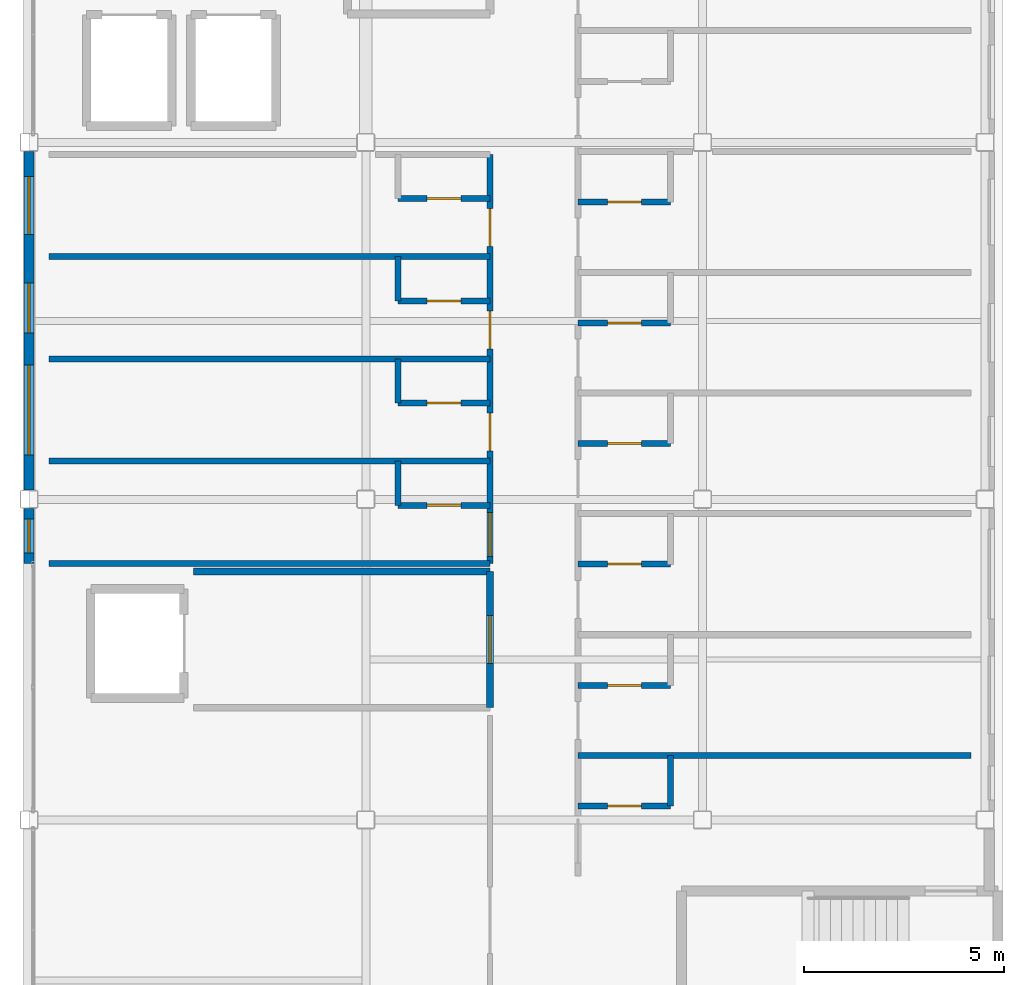
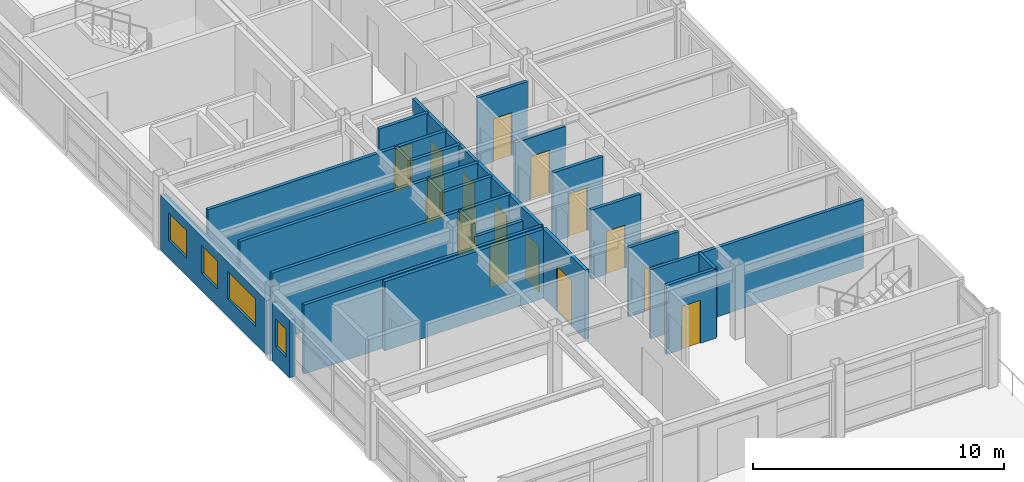
# One storey, part 20 of 28: 24 walls, 15 doors, 4 windows, 19 openings.
"""IFC4 building model written with IfcOpenShell, lengths in metres."""

from ifc_helpers import new_model, si_unit, direction, frame, frame_2d, origin, place, context, subcontext, project, spatial, rectangle, extrude, material, layer, layer_set, type_object, element, fill, save


model = new_model("IFC4")

# Units and contexts
model_context = context("Model", 3, precision=1e-05, world=origin(), true_north=direction((0.0, 1.0)))
body_context = subcontext(model_context, "Body", "Model", "MODEL_VIEW")
ifc_project = project(units=[si_unit("LENGTHUNIT", "METRE"), si_unit("AREAUNIT", "SQUARE_METRE"), si_unit("VOLUMEUNIT", "CUBIC_METRE"), si_unit("PLANEANGLEUNIT", "RADIAN"), si_unit("MASSUNIT", "GRAM", prefix="KILO")], contexts=[model_context])

# Site, building, storey
site_placement = place(None, origin())
site = spatial("IfcSite", under=ifc_project, at=site_placement, CompositionType="ELEMENT")
building_placement = place(site_placement, origin())
building = spatial("IfcBuilding", under=site, at=building_placement, Name="Kazehara Bluff Congress Hotel", CompositionType="ELEMENT")
storey_placement = place(building_placement, frame((0.0, 0.0, 42.60009765625)))
storey = spatial("IfcBuildingStorey", under=building, at=storey_placement, Name="L10", CompositionType="ELEMENT", Elevation=42.60009765625)

# Wall, opening, window
ifc_material_1 = material(Name="Precast concrete C40/50", Category="concrete")
ifc_layer_1 = layer(ifc_material_1, 0.260009765625)
ifc_layer_set_1 = layer_set([ifc_layer_1], Name="Precast concrete C40/50")
wall_type_1 = type_object("IfcWallType", Name="TP-EW-260", PredefinedType="SOLIDWALL", material=ifc_layer_set_1)
wall_1_placement = place(storey_placement, frame((143.699951171875, 30.39990234375, 0.0), z_axis=(0.0, 0.0, 1.0), x_axis=(0.0, 1.0, 0.0)))
wall_1 = element("IfcWall", 1, at=wall_1_placement, inside=storey, type_object=wall_type_1, Name="L10 hotel facade panel 157", PredefinedType="SOLIDWALL", context=body_context, shape_type="SweptSolid", body=[
    extrude(rectangle(XDim=1.375, YDim=0.260009765625, at=frame_2d((0.6875, 0.0))), origin(), (0.0, 0.0, 1.0), 2.804931640625),
])
opening_1_placement = place(wall_1_placement, frame((0.260009765625, 0.0, 0.85009765625)))
opening_1 = element("IfcOpeningElement", 2, at=opening_1_placement, cuts=wall_1, Name="Opening WN-55", PredefinedType="OPENING", context=body_context, shape_type="SweptSolid", body=[
    extrude(rectangle(XDim=0.85009765625, YDim=1.35009765625, at=frame_2d((0.425048828125, 0.675048828125))), frame((0.0, 0.139892578125, 0.0), z_axis=(0.0, -1.0, 0.0), x_axis=(1.0, 0.0, 0.0)), (0.0, 0.0, 1.0), 0.280029296875),
])
ifc_material_2 = material(Name="Insulated low-E double glazing", Category="glass")
window_type_1 = type_object("IfcWindowType", Name="TP-WN-55", PartitioningType="SINGLE_PANEL", PredefinedType="WINDOW", material=ifc_material_2)
window_1_placement = place(opening_1_placement, origin())
window_1 = element("IfcWindow", 3, at=window_1_placement, inside=storey, type_object=window_type_1, Name="L10 guestroom window WN-55 311", OverallHeight=1.35009765625, OverallWidth=0.85009765625, PartitioningType="SINGLE_PANEL", PredefinedType="WINDOW", context=body_context, shape_type="SweptSolid", body=[
    extrude(rectangle(XDim=0.85009765625, YDim=1.35009765625, at=frame_2d((0.425048828125, 0.675048828125))), frame((0.0, 0.030029296875, 0.0), z_axis=(0.0, -1.0, 0.0), x_axis=(1.0, 0.0, 0.0)), (0.0, 0.0, 1.0), 0.06005859375),
])
fill(opening_1, window_1)

# Wall, openings, windows
wall_2_placement = place(storey_placement, frame((143.699951171875, 32.22509765625, 0.0), z_axis=(0.0, 0.0, 1.0), x_axis=(0.0, 1.0, 0.0)))
wall_2 = element("IfcWall", 4, at=wall_2_placement, inside=storey, type_object=wall_type_1, Name="L10 hotel facade panel 158", PredefinedType="SOLIDWALL", context=body_context, shape_type="SweptSolid", body=[
    extrude(rectangle(XDim=8.449951171875, YDim=0.260009765625, at=frame_2d((4.22509765625, 0.0))), origin(), (0.0, 0.0, 1.0), 2.65478515625),
])
opening_2_placement = place(wall_2_placement, frame((0.875, 0.0, 0.85009765625)))
opening_2 = element("IfcOpeningElement", 5, at=opening_2_placement, cuts=wall_2, Name="Opening WN-51", PredefinedType="OPENING", context=body_context, shape_type="SweptSolid", body=[
    extrude(rectangle(XDim=2.25, YDim=1.35009765625, at=frame_2d((1.125, 0.675048828125))), frame((0.0, 0.139892578125, 0.0), z_axis=(0.0, -1.0, 0.0), x_axis=(1.0, 0.0, 0.0)), (0.0, 0.0, 1.0), 0.280029296875),
])
opening_3_placement = place(wall_2_placement, frame((3.925048828125, 0.0, 0.85009765625)))
opening_3 = element("IfcOpeningElement", 6, at=opening_3_placement, cuts=wall_2, Name="Opening WN-06", PredefinedType="OPENING", context=body_context, shape_type="SweptSolid", body=[
    extrude(rectangle(XDim=1.25, YDim=1.35009765625, at=frame_2d((0.625, 0.675048828125))), frame((0.0, 0.139892578125, 0.0), z_axis=(0.0, -1.0, 0.0), x_axis=(1.0, 0.0, 0.0)), (0.0, 0.0, 1.0), 0.280029296875),
])
opening_4_placement = place(wall_2_placement, frame((6.375, 0.0, 0.85009765625)))
opening_4 = element("IfcOpeningElement", 7, at=opening_4_placement, cuts=wall_2, Name="Opening WN-16", PredefinedType="OPENING", context=body_context, shape_type="SweptSolid", body=[
    extrude(rectangle(XDim=1.449951171875, YDim=1.35009765625, at=frame_2d((0.72509765625, 0.675048828125))), frame((0.0, 0.139892578125, 0.0), z_axis=(0.0, -1.0, 0.0), x_axis=(1.0, 0.0, 0.0)), (0.0, 0.0, 1.0), 0.280029296875),
])
ifc_material_3 = material(Name="Insulated low-E double glazing", Category="glass")
window_type_2 = type_object("IfcWindowType", Name="TP-WN-06", PartitioningType="SINGLE_PANEL", PredefinedType="WINDOW", material=ifc_material_3)
window_2_placement = place(opening_3_placement, origin())
window_2 = element("IfcWindow", 8, at=window_2_placement, inside=storey, type_object=window_type_2, Name="L10 guestroom window WN-06 313", OverallHeight=1.35009765625, OverallWidth=1.25, PartitioningType="SINGLE_PANEL", PredefinedType="WINDOW", context=body_context, shape_type="SweptSolid", body=[
    extrude(rectangle(XDim=1.25, YDim=1.35009765625, at=frame_2d((0.625, 0.675048828125))), frame((0.0, 0.030029296875, 0.0), z_axis=(0.0, -1.0, 0.0), x_axis=(1.0, 0.0, 0.0)), (0.0, 0.0, 1.0), 0.06005859375),
])
fill(opening_3, window_2)
ifc_material_4 = material(Name="Insulated low-E double glazing", Category="glass")
window_type_3 = type_object("IfcWindowType", Name="TP-WN-16", PartitioningType="SINGLE_PANEL", PredefinedType="WINDOW", material=ifc_material_4)
window_3_placement = place(opening_4_placement, origin())
window_3 = element("IfcWindow", 9, at=window_3_placement, inside=storey, type_object=window_type_3, Name="L10 guestroom window WN-16 314", OverallHeight=1.35009765625, OverallWidth=1.449951171875, PartitioningType="SINGLE_PANEL", PredefinedType="WINDOW", context=body_context, shape_type="SweptSolid", body=[
    extrude(rectangle(XDim=1.449951171875, YDim=1.35009765625, at=frame_2d((0.72509765625, 0.675048828125))), frame((0.0, 0.030029296875, 0.0), z_axis=(0.0, -1.0, 0.0), x_axis=(1.0, 0.0, 0.0)), (0.0, 0.0, 1.0), 0.06005859375),
])
fill(opening_4, window_3)
ifc_material_5 = material(Name="Insulated low-E double glazing", Category="glass")
window_type_4 = type_object("IfcWindowType", Name="TP-WN-51", PartitioningType="DOUBLE_PANEL_VERTICAL", PredefinedType="WINDOW", material=ifc_material_5)
window_4_placement = place(opening_2_placement, origin())
window_4 = element("IfcWindow", 10, at=window_4_placement, inside=storey, type_object=window_type_4, Name="L10 guestroom window WN-51 312", OverallHeight=1.35009765625, OverallWidth=2.25, PartitioningType="SINGLE_PANEL", PredefinedType="WINDOW", context=body_context, shape_type="SweptSolid", body=[
    extrude(rectangle(XDim=2.25, YDim=1.35009765625, at=frame_2d((1.125, 0.675048828125))), frame((0.0, 0.030029296875, 0.0), z_axis=(0.0, -1.0, 0.0), x_axis=(1.0, 0.0, 0.0)), (0.0, 0.0, 1.0), 0.06005859375),
])
fill(opening_2, window_4)

# Wall, opening, door
ifc_material_6 = material(Name="Fire-rated gypsum board stud partition")
ifc_layer_2 = layer(ifc_material_6, 0.14990234375)
ifc_layer_set_2 = layer_set([ifc_layer_2], Name="Fire-rated gypsum board stud partition")
wall_type_2 = type_object("IfcWallType", Name="TP-PT-150", PredefinedType="PARTITIONING", material=ifc_layer_set_2)
wall_3_placement = place(storey_placement, frame((157.39990234375, 24.35009765625, 0.0), z_axis=(0.0, 0.0, 1.0), x_axis=(1.0, 0.0, 0.0)))
wall_3 = element("IfcWall", 11, at=wall_3_placement, inside=storey, type_object=wall_type_2, Name="L10 partition PT-150 1316", PredefinedType="PARTITIONING", context=body_context, shape_type="SweptSolid", body=[
    extrude(rectangle(XDim=2.300048828125, YDim=0.14990234375, at=frame_2d((1.14990234375, 0.0))), origin(), (0.0, 0.0, 1.0), 3.364990234375),
])
opening_5_placement = place(wall_3_placement, frame((0.72509765625, 0.0, 0.0)))
opening_5 = element("IfcOpeningElement", 12, at=opening_5_placement, cuts=wall_3, Name="Opening BD-01", PredefinedType="OPENING", context=body_context, shape_type="SweptSolid", body=[
    extrude(rectangle(XDim=0.85009765625, YDim=2.10009765625, at=frame_2d((0.425048828125, 1.050048828125))), frame((0.0, 0.0849609375, 0.0), z_axis=(0.0, -1.0, 0.0), x_axis=(1.0, 0.0, 0.0)), (0.0, 0.0, 1.0), 0.169921875),
])
ifc_material_7 = material(Name="Architectural oak veneer leaf")
door_type_1 = type_object("IfcDoorType", Name="TP-BD-01", OperationType="NOTDEFINED", PredefinedType="DOOR", material=ifc_material_7)
door_1_placement = place(opening_5_placement, origin())
door_1 = element("IfcDoor", 13, at=door_1_placement, inside=storey, type_object=door_type_1, Name="L10 En-suite Bathroom 305 door", OperationType="SINGLE_SWING_RIGHT", OverallHeight=2.10009765625, OverallWidth=0.85009765625, PredefinedType="DOOR", context=body_context, shape_type="SweptSolid", body=[
    extrude(rectangle(XDim=0.85009765625, YDim=2.10009765625, at=frame_2d((0.425048828125, 1.050048828125))), frame((0.0, 0.02490234375, 0.0), z_axis=(0.0, -1.0, 0.0), x_axis=(1.0, 0.0, 0.0)), (0.0, 0.0, 1.0), 0.050048828125),
])
fill(opening_5, door_1)

# Wall
wall_4_placement = place(storey_placement, frame((157.39990234375, 25.610107421875, 0.0), z_axis=(0.0, 0.0, 1.0), x_axis=(1.0, 0.0, 0.0)))
element("IfcWall", 14, at=wall_4_placement, inside=storey, type_object=wall_type_2, Name="L10 partition PT-150 1317", PredefinedType="PARTITIONING", context=body_context, shape_type="SweptSolid", body=[
    extrude(rectangle(XDim=9.800048828125, YDim=0.14990234375, at=frame_2d((4.89990234375, 0.0))), origin(), (0.0, 0.0, 1.0), 3.364990234375),
])

# Wall, opening, door
wall_5_placement = place(storey_placement, frame((157.39990234375, 27.360107421875, 0.0), z_axis=(0.0, 0.0, 1.0), x_axis=(1.0, 0.0, 0.0)))
wall_5 = element("IfcWall", 15, at=wall_5_placement, inside=storey, type_object=wall_type_2, Name="L10 partition PT-150 1319", PredefinedType="PARTITIONING", context=body_context, shape_type="SweptSolid", body=[
    extrude(rectangle(XDim=2.300048828125, YDim=0.14990234375, at=frame_2d((1.14990234375, 0.0))), origin(), (0.0, 0.0, 1.0), 3.364990234375),
])
opening_6_placement = place(wall_5_placement, frame((0.72509765625, 0.0, 0.0)))
opening_6 = element("IfcOpeningElement", 16, at=opening_6_placement, cuts=wall_5, Name="Opening BD-01", PredefinedType="OPENING", context=body_context, shape_type="SweptSolid", body=[
    extrude(rectangle(XDim=0.85009765625, YDim=2.10009765625, at=frame_2d((0.425048828125, 1.050048828125))), frame((0.0, 0.0849609375, 0.0), z_axis=(0.0, -1.0, 0.0), x_axis=(1.0, 0.0, 0.0)), (0.0, 0.0, 1.0), 0.169921875),
])
door_2_placement = place(opening_6_placement, origin())
door_2 = element("IfcDoor", 17, at=door_2_placement, inside=storey, type_object=door_type_1, Name="L10 En-suite Bathroom 306 door", OperationType="SINGLE_SWING_RIGHT", OverallHeight=2.10009765625, OverallWidth=0.85009765625, PredefinedType="DOOR", context=body_context, shape_type="SweptSolid", body=[
    extrude(rectangle(XDim=0.85009765625, YDim=2.10009765625, at=frame_2d((0.425048828125, 1.050048828125))), frame((0.0, 0.02490234375, 0.0), z_axis=(0.0, -1.0, 0.0), x_axis=(1.0, 0.0, 0.0)), (0.0, 0.0, 1.0), 0.050048828125),
])
fill(opening_6, door_2)

wall_6_placement = place(storey_placement, frame((157.39990234375, 30.3798828125, 0.0), z_axis=(0.0, 0.0, 1.0), x_axis=(1.0, 0.0, 0.0)))
wall_6 = element("IfcWall", 18, at=wall_6_placement, inside=storey, type_object=wall_type_2, Name="L10 partition PT-150 1322", PredefinedType="PARTITIONING", context=body_context, shape_type="SweptSolid", body=[
    extrude(rectangle(XDim=2.300048828125, YDim=0.14990234375, at=frame_2d((1.14990234375, 0.0))), origin(), (0.0, 0.0, 1.0), 3.364990234375),
])
opening_7_placement = place(wall_6_placement, frame((0.72509765625, 0.0, 0.0)))
opening_7 = element("IfcOpeningElement", 19, at=opening_7_placement, cuts=wall_6, Name="Opening BD-01", PredefinedType="OPENING", context=body_context, shape_type="SweptSolid", body=[
    extrude(rectangle(XDim=0.85009765625, YDim=2.10009765625, at=frame_2d((0.425048828125, 1.050048828125))), frame((0.0, 0.0849609375, 0.0), z_axis=(0.0, -1.0, 0.0), x_axis=(1.0, 0.0, 0.0)), (0.0, 0.0, 1.0), 0.169921875),
])
door_3_placement = place(opening_7_placement, origin())
door_3 = element("IfcDoor", 20, at=door_3_placement, inside=storey, type_object=door_type_1, Name="L10 En-suite Bathroom 307 door", OperationType="SINGLE_SWING_RIGHT", OverallHeight=2.10009765625, OverallWidth=0.85009765625, PredefinedType="DOOR", context=body_context, shape_type="SweptSolid", body=[
    extrude(rectangle(XDim=0.85009765625, YDim=2.10009765625, at=frame_2d((0.425048828125, 1.050048828125))), frame((0.0, 0.02490234375, 0.0), z_axis=(0.0, -1.0, 0.0), x_axis=(1.0, 0.0, 0.0)), (0.0, 0.0, 1.0), 0.050048828125),
])
fill(opening_7, door_3)

# Wall
wall_7_placement = place(storey_placement, frame((144.199951171875, 30.39990234375, 0.0), z_axis=(0.0, 0.0, 1.0), x_axis=(1.0, 0.0, 0.0)))
element("IfcWall", 21, at=wall_7_placement, inside=storey, type_object=wall_type_2, Name="L10 partition PT-150 1323", PredefinedType="PARTITIONING", context=body_context, shape_type="SweptSolid", body=[
    extrude(rectangle(XDim=11.0, YDim=0.14990234375, at=frame_2d((5.5, 0.0))), origin(), (0.0, 0.0, 1.0), 3.364990234375),
])

# Wall, opening, door
wall_8_placement = place(storey_placement, frame((152.89990234375, 31.85009765625, 0.0), z_axis=(0.0, 0.0, 1.0), x_axis=(1.0, 0.0, 0.0)))
wall_8 = element("IfcWall", 22, at=wall_8_placement, inside=storey, type_object=wall_type_2, Name="L10 partition PT-150 1325", PredefinedType="PARTITIONING", context=body_context, shape_type="SweptSolid", body=[
    extrude(rectangle(XDim=2.300048828125, YDim=0.14990234375, at=frame_2d((1.14990234375, 0.0))), origin(), (0.0, 0.0, 1.0), 2.7548828125),
])
opening_8_placement = place(wall_8_placement, frame((0.72509765625, 0.0, 0.0)))
opening_8 = element("IfcOpeningElement", 23, at=opening_8_placement, cuts=wall_8, Name="Opening BD-01", PredefinedType="OPENING", context=body_context, shape_type="SweptSolid", body=[
    extrude(rectangle(XDim=0.85009765625, YDim=2.10009765625, at=frame_2d((0.425048828125, 1.050048828125))), frame((0.0, 0.0849609375, 0.0), z_axis=(0.0, -1.0, 0.0), x_axis=(1.0, 0.0, 0.0)), (0.0, 0.0, 1.0), 0.169921875),
])
door_4_placement = place(opening_8_placement, origin())
door_4 = element("IfcDoor", 24, at=door_4_placement, inside=storey, type_object=door_type_1, Name="L10 En-suite Bathroom 295 door", OperationType="SINGLE_SWING_RIGHT", OverallHeight=2.10009765625, OverallWidth=0.85009765625, PredefinedType="DOOR", context=body_context, shape_type="SweptSolid", body=[
    extrude(rectangle(XDim=0.85009765625, YDim=2.10009765625, at=frame_2d((0.425048828125, 1.050048828125))), frame((0.0, 0.02490234375, 0.0), z_axis=(0.0, -1.0, 0.0), x_axis=(1.0, 0.0, 0.0)), (0.0, 0.0, 1.0), 0.050048828125),
])
fill(opening_8, door_4)

# Wall
wall_9_placement = place(storey_placement, frame((144.199951171875, 32.949951171875, 0.0), z_axis=(0.0, 0.0, 1.0), x_axis=(1.0, 0.0, 0.0)))
element("IfcWall", 25, at=wall_9_placement, inside=storey, type_object=wall_type_2, Name="L10 partition PT-150 1326", PredefinedType="PARTITIONING", context=body_context, shape_type="SweptSolid", body=[
    extrude(rectangle(XDim=11.0, YDim=0.14990234375, at=frame_2d((5.5, 0.0))), origin(), (0.0, 0.0, 1.0), 3.364990234375),
])

# Wall, opening, door
wall_10_placement = place(storey_placement, frame((157.39990234375, 33.389892578125, 0.0), z_axis=(0.0, 0.0, 1.0), x_axis=(1.0, 0.0, 0.0)))
wall_10 = element("IfcWall", 26, at=wall_10_placement, inside=storey, type_object=wall_type_2, Name="L10 partition PT-150 1327", PredefinedType="PARTITIONING", context=body_context, shape_type="SweptSolid", body=[
    extrude(rectangle(XDim=2.300048828125, YDim=0.14990234375, at=frame_2d((1.14990234375, 0.0))), origin(), (0.0, 0.0, 1.0), 3.364990234375),
])
opening_9_placement = place(wall_10_placement, frame((0.72509765625, 0.0, 0.0)))
opening_9 = element("IfcOpeningElement", 27, at=opening_9_placement, cuts=wall_10, Name="Opening BD-01", PredefinedType="OPENING", context=body_context, shape_type="SweptSolid", body=[
    extrude(rectangle(XDim=0.85009765625, YDim=2.10009765625, at=frame_2d((0.425048828125, 1.050048828125))), frame((0.0, 0.0849609375, 0.0), z_axis=(0.0, -1.0, 0.0), x_axis=(1.0, 0.0, 0.0)), (0.0, 0.0, 1.0), 0.169921875),
])
door_5_placement = place(opening_9_placement, origin())
door_5 = element("IfcDoor", 28, at=door_5_placement, inside=storey, type_object=door_type_1, Name="L10 En-suite Bathroom 308 door", OperationType="SINGLE_SWING_RIGHT", OverallHeight=2.10009765625, OverallWidth=0.85009765625, PredefinedType="DOOR", context=body_context, shape_type="SweptSolid", body=[
    extrude(rectangle(XDim=0.85009765625, YDim=2.10009765625, at=frame_2d((0.425048828125, 1.050048828125))), frame((0.0, 0.02490234375, 0.0), z_axis=(0.0, -1.0, 0.0), x_axis=(1.0, 0.0, 0.0)), (0.0, 0.0, 1.0), 0.050048828125),
])
fill(opening_9, door_5)

wall_11_placement = place(storey_placement, frame((152.89990234375, 34.39990234375, 0.0), z_axis=(0.0, 0.0, 1.0), x_axis=(1.0, 0.0, 0.0)))
wall_11 = element("IfcWall", 29, at=wall_11_placement, inside=storey, type_object=wall_type_2, Name="L10 partition PT-150 1328", PredefinedType="PARTITIONING", context=body_context, shape_type="SweptSolid", body=[
    extrude(rectangle(XDim=2.300048828125, YDim=0.14990234375, at=frame_2d((1.14990234375, 0.0))), origin(), (0.0, 0.0, 1.0), 3.364990234375),
])
opening_10_placement = place(wall_11_placement, frame((0.72509765625, 0.0, 0.0)))
opening_10 = element("IfcOpeningElement", 30, at=opening_10_placement, cuts=wall_11, Name="Opening BD-01", PredefinedType="OPENING", context=body_context, shape_type="SweptSolid", body=[
    extrude(rectangle(XDim=0.85009765625, YDim=2.10009765625, at=frame_2d((0.425048828125, 1.050048828125))), frame((0.0, 0.0849609375, 0.0), z_axis=(0.0, -1.0, 0.0), x_axis=(1.0, 0.0, 0.0)), (0.0, 0.0, 1.0), 0.169921875),
])
door_6_placement = place(opening_10_placement, origin())
door_6 = element("IfcDoor", 31, at=door_6_placement, inside=storey, type_object=door_type_1, Name="L10 En-suite Bathroom 296 door", OperationType="SINGLE_SWING_RIGHT", OverallHeight=2.10009765625, OverallWidth=0.85009765625, PredefinedType="DOOR", context=body_context, shape_type="SweptSolid", body=[
    extrude(rectangle(XDim=0.85009765625, YDim=2.10009765625, at=frame_2d((0.425048828125, 1.050048828125))), frame((0.0, 0.02490234375, 0.0), z_axis=(0.0, -1.0, 0.0), x_axis=(1.0, 0.0, 0.0)), (0.0, 0.0, 1.0), 0.050048828125),
])
fill(opening_10, door_6)

# Wall
wall_12_placement = place(storey_placement, frame((144.199951171875, 35.5, 0.0), z_axis=(0.0, 0.0, 1.0), x_axis=(1.0, 0.0, 0.0)))
element("IfcWall", 32, at=wall_12_placement, inside=storey, type_object=wall_type_2, Name="L10 partition PT-150 1330", PredefinedType="PARTITIONING", context=body_context, shape_type="SweptSolid", body=[
    extrude(rectangle(XDim=11.0, YDim=0.14990234375, at=frame_2d((5.5, 0.0))), origin(), (0.0, 0.0, 1.0), 3.364990234375),
])

# Wall, opening, door
wall_13_placement = place(storey_placement, frame((157.39990234375, 36.39990234375, 0.0), z_axis=(0.0, 0.0, 1.0), x_axis=(1.0, 0.0, 0.0)))
wall_13 = element("IfcWall", 33, at=wall_13_placement, inside=storey, type_object=wall_type_2, Name="L10 partition PT-150 1331", PredefinedType="PARTITIONING", context=body_context, shape_type="SweptSolid", body=[
    extrude(rectangle(XDim=2.300048828125, YDim=0.14990234375, at=frame_2d((1.14990234375, 0.0))), origin(), (0.0, 0.0, 1.0), 3.0048828125),
])
opening_11_placement = place(wall_13_placement, frame((0.72509765625, 0.0, 0.0)))
opening_11 = element("IfcOpeningElement", 34, at=opening_11_placement, cuts=wall_13, Name="Opening BD-01", PredefinedType="OPENING", context=body_context, shape_type="SweptSolid", body=[
    extrude(rectangle(XDim=0.85009765625, YDim=2.10009765625, at=frame_2d((0.425048828125, 1.050048828125))), frame((0.0, 0.0849609375, 0.0), z_axis=(0.0, -1.0, 0.0), x_axis=(1.0, 0.0, 0.0)), (0.0, 0.0, 1.0), 0.169921875),
])
door_7_placement = place(opening_11_placement, origin())
door_7 = element("IfcDoor", 35, at=door_7_placement, inside=storey, type_object=door_type_1, Name="L10 En-suite Bathroom 309 door", OperationType="SINGLE_SWING_RIGHT", OverallHeight=2.10009765625, OverallWidth=0.85009765625, PredefinedType="DOOR", context=body_context, shape_type="SweptSolid", body=[
    extrude(rectangle(XDim=0.85009765625, YDim=2.10009765625, at=frame_2d((0.425048828125, 1.050048828125))), frame((0.0, 0.02490234375, 0.0), z_axis=(0.0, -1.0, 0.0), x_axis=(1.0, 0.0, 0.0)), (0.0, 0.0, 1.0), 0.050048828125),
])
fill(opening_11, door_7)

wall_14_placement = place(storey_placement, frame((152.89990234375, 36.949951171875, 0.0), z_axis=(0.0, 0.0, 1.0), x_axis=(1.0, 0.0, 0.0)))
wall_14 = element("IfcWall", 36, at=wall_14_placement, inside=storey, type_object=wall_type_2, Name="L10 partition PT-150 1332", PredefinedType="PARTITIONING", context=body_context, shape_type="SweptSolid", body=[
    extrude(rectangle(XDim=2.300048828125, YDim=0.14990234375, at=frame_2d((1.14990234375, 0.0))), origin(), (0.0, 0.0, 1.0), 3.364990234375),
])
opening_12_placement = place(wall_14_placement, frame((0.72509765625, 0.0, 0.0)))
opening_12 = element("IfcOpeningElement", 37, at=opening_12_placement, cuts=wall_14, Name="Opening BD-01", PredefinedType="OPENING", context=body_context, shape_type="SweptSolid", body=[
    extrude(rectangle(XDim=0.85009765625, YDim=2.10009765625, at=frame_2d((0.425048828125, 1.050048828125))), frame((0.0, 0.0849609375, 0.0), z_axis=(0.0, -1.0, 0.0), x_axis=(1.0, 0.0, 0.0)), (0.0, 0.0, 1.0), 0.169921875),
])
door_8_placement = place(opening_12_placement, origin())
door_8 = element("IfcDoor", 38, at=door_8_placement, inside=storey, type_object=door_type_1, Name="L10 En-suite Bathroom 297 door", OperationType="SINGLE_SWING_RIGHT", OverallHeight=2.10009765625, OverallWidth=0.85009765625, PredefinedType="DOOR", context=body_context, shape_type="SweptSolid", body=[
    extrude(rectangle(XDim=0.85009765625, YDim=2.10009765625, at=frame_2d((0.425048828125, 1.050048828125))), frame((0.0, 0.02490234375, 0.0), z_axis=(0.0, -1.0, 0.0), x_axis=(1.0, 0.0, 0.0)), (0.0, 0.0, 1.0), 0.050048828125),
])
fill(opening_12, door_8)

# Wall
wall_15_placement = place(storey_placement, frame((144.199951171875, 38.050048828125, 0.0), z_axis=(0.0, 0.0, 1.0), x_axis=(1.0, 0.0, 0.0)))
element("IfcWall", 39, at=wall_15_placement, inside=storey, type_object=wall_type_2, Name="L10 partition PT-150 1334", PredefinedType="PARTITIONING", context=body_context, shape_type="SweptSolid", body=[
    extrude(rectangle(XDim=11.0, YDim=0.14990234375, at=frame_2d((5.5, 0.0))), origin(), (0.0, 0.0, 1.0), 3.364990234375),
])

# Wall, opening, door
wall_16_placement = place(storey_placement, frame((157.39990234375, 39.409912109375, 0.0), z_axis=(0.0, 0.0, 1.0), x_axis=(1.0, 0.0, 0.0)))
wall_16 = element("IfcWall", 40, at=wall_16_placement, inside=storey, type_object=wall_type_2, Name="L10 partition PT-150 1335", PredefinedType="PARTITIONING", context=body_context, shape_type="SweptSolid", body=[
    extrude(rectangle(XDim=2.300048828125, YDim=0.14990234375, at=frame_2d((1.14990234375, 0.0))), origin(), (0.0, 0.0, 1.0), 3.364990234375),
])
opening_13_placement = place(wall_16_placement, frame((0.72509765625, 0.0, 0.0)))
opening_13 = element("IfcOpeningElement", 41, at=opening_13_placement, cuts=wall_16, Name="Opening BD-01", PredefinedType="OPENING", context=body_context, shape_type="SweptSolid", body=[
    extrude(rectangle(XDim=0.85009765625, YDim=2.10009765625, at=frame_2d((0.425048828125, 1.050048828125))), frame((0.0, 0.0849609375, 0.0), z_axis=(0.0, -1.0, 0.0), x_axis=(1.0, 0.0, 0.0)), (0.0, 0.0, 1.0), 0.169921875),
])
door_9_placement = place(opening_13_placement, origin())
door_9 = element("IfcDoor", 42, at=door_9_placement, inside=storey, type_object=door_type_1, Name="L10 En-suite Bathroom 310 door", OperationType="SINGLE_SWING_RIGHT", OverallHeight=2.10009765625, OverallWidth=0.85009765625, PredefinedType="DOOR", context=body_context, shape_type="SweptSolid", body=[
    extrude(rectangle(XDim=0.85009765625, YDim=2.10009765625, at=frame_2d((0.425048828125, 1.050048828125))), frame((0.0, 0.02490234375, 0.0), z_axis=(0.0, -1.0, 0.0), x_axis=(1.0, 0.0, 0.0)), (0.0, 0.0, 1.0), 0.050048828125),
])
fill(opening_13, door_9)

wall_17_placement = place(storey_placement, frame((152.89990234375, 39.5, 0.0), z_axis=(0.0, 0.0, 1.0), x_axis=(1.0, 0.0, 0.0)))
wall_17 = element("IfcWall", 43, at=wall_17_placement, inside=storey, type_object=wall_type_2, Name="L10 partition PT-150 1336", PredefinedType="PARTITIONING", context=body_context, shape_type="SweptSolid", body=[
    extrude(rectangle(XDim=2.300048828125, YDim=0.14990234375, at=frame_2d((1.14990234375, 0.0))), origin(), (0.0, 0.0, 1.0), 3.364990234375),
])
opening_14_placement = place(wall_17_placement, frame((0.72509765625, 0.0, 0.0)))
opening_14 = element("IfcOpeningElement", 44, at=opening_14_placement, cuts=wall_17, Name="Opening BD-01", PredefinedType="OPENING", context=body_context, shape_type="SweptSolid", body=[
    extrude(rectangle(XDim=0.85009765625, YDim=2.10009765625, at=frame_2d((0.425048828125, 1.050048828125))), frame((0.0, 0.0849609375, 0.0), z_axis=(0.0, -1.0, 0.0), x_axis=(1.0, 0.0, 0.0)), (0.0, 0.0, 1.0), 0.169921875),
])
door_10_placement = place(opening_14_placement, origin())
door_10 = element("IfcDoor", 45, at=door_10_placement, inside=storey, type_object=door_type_1, Name="L10 En-suite Bathroom 298 door", OperationType="SINGLE_SWING_RIGHT", OverallHeight=2.10009765625, OverallWidth=0.85009765625, PredefinedType="DOOR", context=body_context, shape_type="SweptSolid", body=[
    extrude(rectangle(XDim=0.85009765625, YDim=2.10009765625, at=frame_2d((0.425048828125, 1.050048828125))), frame((0.0, 0.02490234375, 0.0), z_axis=(0.0, -1.0, 0.0), x_axis=(1.0, 0.0, 0.0)), (0.0, 0.0, 1.0), 0.050048828125),
])
fill(opening_14, door_10)

# Walls
wall_18_placement = place(storey_placement, frame((152.89990234375, 31.85009765625, 0.0), z_axis=(0.0, 0.0, 1.0), x_axis=(0.0, 1.0, 0.0)))
element("IfcWall", 46, at=wall_18_placement, inside=storey, type_object=wall_type_2, Name="L10 partition PT-150 1380", PredefinedType="PARTITIONING", context=body_context, shape_type="SweptSolid", body=[
    extrude(rectangle(XDim=1.099853515625, YDim=0.14990234375, at=frame_2d((0.5498046875, 0.0))), origin(), (0.0, 0.0, 1.0), 3.364990234375),
])
for number, where, z_axis, x_axis, name in (
    (47, (152.89990234375, 34.39990234375, 0.0), (0.0, 0.0, 1.0), (0.0, 1.0, 0.0), "L10 partition PT-150 1381"),
    (48, (152.89990234375, 36.949951171875, 0.0), (0.0, 0.0, 1.0), (0.0, 1.0, 0.0), "L10 partition PT-150 1382"),
):
    element("IfcWall", number, at=place(storey_placement, frame(where, z_axis=z_axis, x_axis=x_axis)), inside=storey, type_object=wall_type_2, Name=name, PredefinedType="PARTITIONING", context=body_context, shape_type="SweptSolid", body=[
        extrude(rectangle(XDim=1.10009765625, YDim=0.14990234375, at=frame_2d((0.550048828125, 0.0))), origin(), (0.0, 0.0, 1.0), 3.364990234375),
    ])

# Wall, openings, doors
wall_19_placement = place(storey_placement, frame((155.199951171875, 30.39990234375, 0.0), z_axis=(0.0, 0.0, 1.0), x_axis=(0.0, 1.0, 0.0)))
wall_19 = element("IfcWall", 49, at=wall_19_placement, inside=storey, type_object=wall_type_2, Name="L10 partition PT-150 1392", PredefinedType="PARTITIONING", context=body_context, shape_type="SweptSolid", body=[
    extrude(rectangle(XDim=10.2001953125, YDim=0.14990234375, at=frame_2d((5.10009765625, 0.0))), origin(), (0.0, 0.0, 1.0), 3.364990234375),
])
opening_15_placement = place(wall_19_placement, frame((0.175048828125, 0.0, 0.0)))
opening_15 = element("IfcOpeningElement", 50, at=opening_15_placement, cuts=wall_19, Name="Opening GD-02", PredefinedType="OPENING", context=body_context, shape_type="SweptSolid", body=[
    extrude(rectangle(XDim=1.10009765625, YDim=2.199951171875, at=frame_2d((0.550048828125, 1.10009765625))), frame((0.0, 0.0849609375, 0.0), z_axis=(0.0, -1.0, 0.0), x_axis=(1.0, 0.0, 0.0)), (0.0, 0.0, 1.0), 0.169921875),
])
opening_16_placement = place(wall_19_placement, frame((2.800048828125, 0.0, 0.0)))
opening_16 = element("IfcOpeningElement", 51, at=opening_16_placement, cuts=wall_19, Name="Opening GD-01", PredefinedType="OPENING", context=body_context, shape_type="SweptSolid", body=[
    extrude(rectangle(XDim=0.949951171875, YDim=2.14990234375, at=frame_2d((0.47509765625, 1.074951171875))), frame((0.0, 0.0849609375, 0.0), z_axis=(0.0, -1.0, 0.0), x_axis=(1.0, 0.0, 0.0)), (0.0, 0.0, 1.0), 0.169921875),
])
opening_17_placement = place(wall_19_placement, frame((5.35009765625, 0.0, 0.0)))
opening_17 = element("IfcOpeningElement", 52, at=opening_17_placement, cuts=wall_19, Name="Opening GD-01", PredefinedType="OPENING", context=body_context, shape_type="SweptSolid", body=[
    extrude(rectangle(XDim=0.949951171875, YDim=2.14990234375, at=frame_2d((0.47509765625, 1.074951171875))), frame((0.0, 0.0849609375, 0.0), z_axis=(0.0, -1.0, 0.0), x_axis=(1.0, 0.0, 0.0)), (0.0, 0.0, 1.0), 0.169921875),
])
opening_18_placement = place(wall_19_placement, frame((7.89990234375, 0.0, 0.0)))
opening_18 = element("IfcOpeningElement", 53, at=opening_18_placement, cuts=wall_19, Name="Opening GD-01", PredefinedType="OPENING", context=body_context, shape_type="SweptSolid", body=[
    extrude(rectangle(XDim=0.949951171875, YDim=2.14990234375, at=frame_2d((0.47509765625, 1.074951171875))), frame((0.0, 0.0849609375, 0.0), z_axis=(0.0, -1.0, 0.0), x_axis=(1.0, 0.0, 0.0)), (0.0, 0.0, 1.0), 0.169921875),
])
ifc_material_8 = material(Name="Architectural oak veneer leaf")
door_type_2 = type_object("IfcDoorType", Name="TP-GD-01", OperationType="NOTDEFINED", PredefinedType="DOOR", material=ifc_material_8)
door_11_placement = place(opening_16_placement, origin())
door_11 = element("IfcDoor", 54, at=door_11_placement, inside=storey, type_object=door_type_2, Name="L10 Deluxe Twin Guest Room 296 door", OperationType="SINGLE_SWING_LEFT", OverallHeight=2.14990234375, OverallWidth=0.949951171875, PredefinedType="DOOR", context=body_context, shape_type="SweptSolid", body=[
    extrude(rectangle(XDim=0.949951171875, YDim=2.14990234375, at=frame_2d((0.47509765625, 1.074951171875))), frame((0.0, 0.02490234375, 0.0), z_axis=(0.0, -1.0, 0.0), x_axis=(1.0, 0.0, 0.0)), (0.0, 0.0, 1.0), 0.050048828125),
])
fill(opening_16, door_11)
door_12_placement = place(opening_17_placement, origin())
door_12 = element("IfcDoor", 55, at=door_12_placement, inside=storey, type_object=door_type_2, Name="L10 Standard King Guest Room 297 door", OperationType="SINGLE_SWING_LEFT", OverallHeight=2.14990234375, OverallWidth=0.949951171875, PredefinedType="DOOR", context=body_context, shape_type="SweptSolid", body=[
    extrude(rectangle(XDim=0.949951171875, YDim=2.14990234375, at=frame_2d((0.47509765625, 1.074951171875))), frame((0.0, 0.02490234375, 0.0), z_axis=(0.0, -1.0, 0.0), x_axis=(1.0, 0.0, 0.0)), (0.0, 0.0, 1.0), 0.050048828125),
])
fill(opening_17, door_12)
door_13_placement = place(opening_18_placement, origin())
door_13 = element("IfcDoor", 56, at=door_13_placement, inside=storey, type_object=door_type_2, Name="L10 Deluxe Twin Guest Room 298 door", OperationType="SINGLE_SWING_LEFT", OverallHeight=2.14990234375, OverallWidth=0.949951171875, PredefinedType="DOOR", context=body_context, shape_type="SweptSolid", body=[
    extrude(rectangle(XDim=0.949951171875, YDim=2.14990234375, at=frame_2d((0.47509765625, 1.074951171875))), frame((0.0, 0.02490234375, 0.0), z_axis=(0.0, -1.0, 0.0), x_axis=(1.0, 0.0, 0.0)), (0.0, 0.0, 1.0), 0.050048828125),
])
fill(opening_18, door_13)
ifc_material_9 = material(Name="Architectural oak veneer leaf")
door_type_3 = type_object("IfcDoorType", Name="TP-GD-02", OperationType="NOTDEFINED", PredefinedType="DOOR", material=ifc_material_9)
door_14_placement = place(opening_15_placement, origin())
door_14 = element("IfcDoor", 57, at=door_14_placement, inside=storey, type_object=door_type_3, Name="L10 Accessible Suite 295 door", OperationType="SINGLE_SWING_LEFT", OverallHeight=2.199951171875, OverallWidth=1.10009765625, PredefinedType="DOOR", context=body_context, shape_type="SweptSolid", body=[
    extrude(rectangle(XDim=1.10009765625, YDim=2.199951171875, at=frame_2d((0.550048828125, 1.10009765625))), frame((0.0, 0.02490234375, 0.0), z_axis=(0.0, -1.0, 0.0), x_axis=(1.0, 0.0, 0.0)), (0.0, 0.0, 1.0), 0.050048828125),
])
fill(opening_15, door_14)

# Walls
wall_20_placement = place(storey_placement, frame((159.699951171875, 24.35009765625, 0.0), z_axis=(0.0, 0.0, 1.0), x_axis=(0.0, 1.0, 0.0)))
element("IfcWall", 58, at=wall_20_placement, inside=storey, type_object=wall_type_2, Name="L10 partition PT-150 1399", PredefinedType="PARTITIONING", context=body_context, shape_type="SweptSolid", body=[
    extrude(rectangle(XDim=1.260009765625, YDim=0.14990234375, at=frame_2d((0.6298828125, 0.0))), origin(), (0.0, 0.0, 1.0), 3.364990234375),
])
ifc_material_10 = material(Name="Fire-rated gypsum board stud partition")
ifc_layer_3 = layer(ifc_material_10, 0.169921875)
ifc_layer_set_3 = layer_set([ifc_layer_3], Name="Fire-rated gypsum board stud partition")
wall_type_3 = type_object("IfcWallType", Name="TP-PT-180", PredefinedType="PARTITIONING", material=ifc_layer_set_3)
wall_21_placement = place(storey_placement, frame((147.800048828125, 30.199951171875, 0.0), z_axis=(0.0, 0.0, 1.0), x_axis=(1.0, 0.0, 0.0)))
element("IfcWall", 59, at=wall_21_placement, inside=storey, type_object=wall_type_3, Name="L10 partition PT-180 1321", PredefinedType="PARTITIONING", context=body_context, shape_type="SweptSolid", body=[
    extrude(rectangle(XDim=7.39990234375, YDim=0.169921875, at=frame_2d((3.699951171875, 0.0))), origin(), (0.0, 0.0, 1.0), 3.364990234375),
])

# Wall, opening, door
wall_22_placement = place(storey_placement, frame((155.199951171875, 26.800048828125, 0.0), z_axis=(0.0, 0.0, 1.0), x_axis=(0.0, 1.0, 0.0)))
wall_22 = element("IfcWall", 60, at=wall_22_placement, inside=storey, type_object=wall_type_3, Name="L10 partition PT-180 1391", PredefinedType="PARTITIONING", context=body_context, shape_type="SweptSolid", body=[
    extrude(rectangle(XDim=3.39990234375, YDim=0.169921875, at=frame_2d((1.699951171875, 0.0))), origin(), (0.0, 0.0, 1.0), 3.364990234375),
])
opening_19_placement = place(wall_22_placement, frame((1.10009765625, 0.0, 0.0)))
opening_19 = element("IfcOpeningElement", 61, at=opening_19_placement, cuts=wall_22, Name="Opening FD-02", PredefinedType="OPENING", context=body_context, shape_type="SweptSolid", body=[
    extrude(rectangle(XDim=1.199951171875, YDim=2.199951171875, at=frame_2d((0.60009765625, 1.10009765625))), frame((0.0, 0.094970703125, 0.0), z_axis=(0.0, -1.0, 0.0), x_axis=(1.0, 0.0, 0.0)), (0.0, 0.0, 1.0), 0.18994140625),
])
ifc_material_11 = material(Name="Fire-rated painted steel leaf", Category="steel")
door_type_4 = type_object("IfcDoorType", Name="TP-FD-02", OperationType="NOTDEFINED", PredefinedType="DOOR", material=ifc_material_11)
door_15_placement = place(opening_19_placement, origin())
door_15 = element("IfcDoor", 62, at=door_15_placement, inside=storey, type_object=door_type_4, Name="L10 L10 Service Lift Lobby door", OperationType="SINGLE_SWING_RIGHT", OverallHeight=2.199951171875, OverallWidth=1.199951171875, PredefinedType="DOOR", context=body_context, shape_type="SweptSolid", body=[
    extrude(rectangle(XDim=1.199951171875, YDim=2.199951171875, at=frame_2d((0.60009765625, 1.10009765625))), frame((0.0, 0.02490234375, 0.0), z_axis=(0.0, -1.0, 0.0), x_axis=(1.0, 0.0, 0.0)), (0.0, 0.0, 1.0), 0.050048828125),
])
fill(opening_19, door_15)

save(model, "model.ifc")
